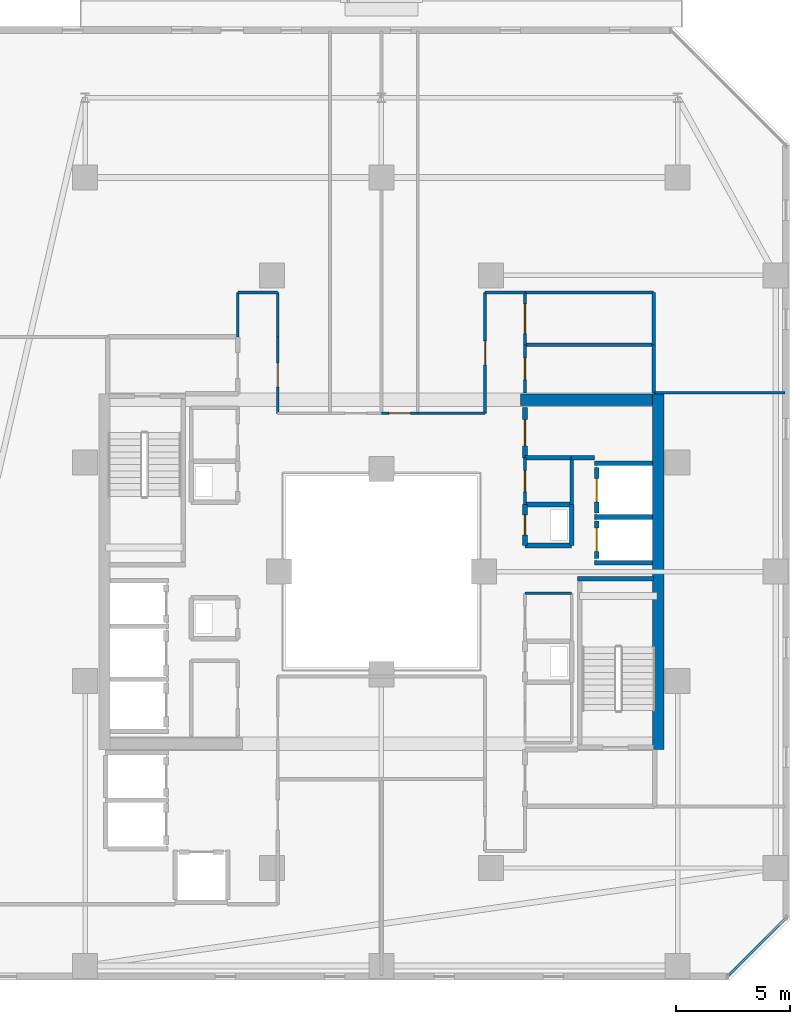
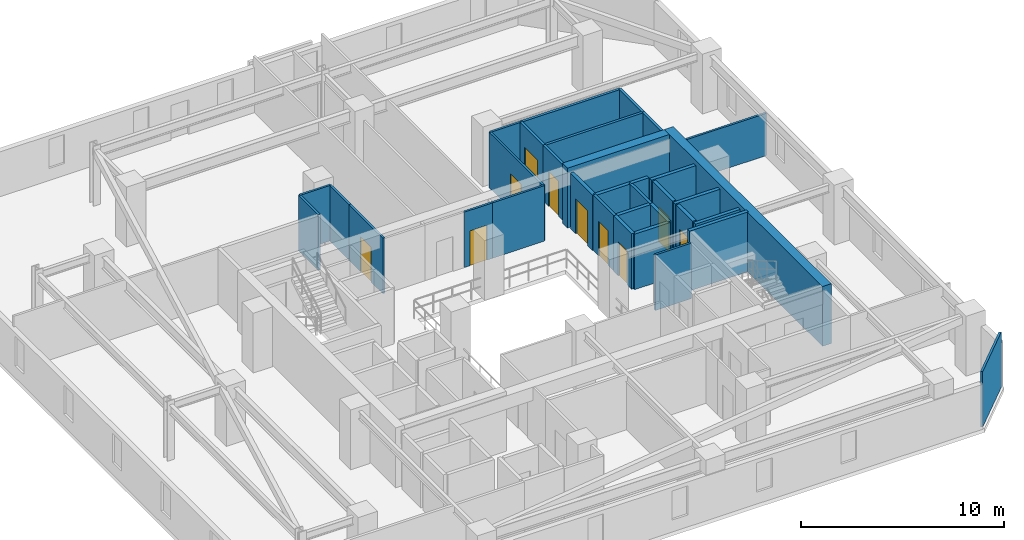
# One storey, part 25 of 33: 34 walls, 10 doors, 10 openings.
"""IFC4 building model written with IfcOpenShell, lengths in metres."""

from ifc_helpers import new_model, si_unit, direction, frame, frame_2d, origin, place, context, subcontext, project, spatial, rectangle, extrude, material, layer, layer_set, type_object, element, fill, save


model = new_model("IFC4")

# Units and contexts
model_context = context("Model", 3, precision=1e-05, world=origin(), true_north=direction((0.0, 1.0)))
body_context = subcontext(model_context, "Body", "Model", "MODEL_VIEW")
ifc_project = project(units=[si_unit("LENGTHUNIT", "METRE"), si_unit("AREAUNIT", "SQUARE_METRE"), si_unit("VOLUMEUNIT", "CUBIC_METRE"), si_unit("PLANEANGLEUNIT", "RADIAN"), si_unit("MASSUNIT", "GRAM", prefix="KILO")], contexts=[model_context])

# Site, building, storey
site_placement = place(None, origin())
site = spatial("IfcSite", under=ifc_project, at=site_placement, CompositionType="ELEMENT")
building_placement = place(site_placement, origin())
building = spatial("IfcBuilding", under=site, at=building_placement, Name="Thornwick Lancets Civic Towers", CompositionType="ELEMENT")
storey_placement = place(building_placement, frame((0.0, 0.0, 189.300048828125)))
storey = spatial("IfcBuildingStorey", under=building, at=storey_placement, Name="L50", CompositionType="ELEMENT", Elevation=189.300048828125)

# Wall, opening, door
ifc_material_1 = material(Name="Concrete blockwork C40/50", Category="masonry")
ifc_layer_1 = layer(ifc_material_1, 0.199951171875, Name="Concrete blockwork C40/50")
ifc_layer_set_1 = layer_set([ifc_layer_1], Name="Concrete blockwork C40/50")
wall_type_1 = type_object("IfcWallType", Name="WALL_COMP_200", PredefinedType="STANDARD", material=ifc_layer_set_1)
wall_1_placement = place(storey_placement, frame((97.949951171875, 29.219970703125, 0.0), z_axis=(0.0, 0.0, 1.0), x_axis=(0.0, -1.0, 0.0)))
wall_1 = element("IfcWall", 1, at=wall_1_placement, inside=storey, type_object=wall_type_1, Name="L50 Hoistway Front Wall FL-B1", PredefinedType="STANDARD", context=body_context, shape_type="SweptSolid", body=[
    extrude(rectangle(XDim=1.639892578125, YDim=0.199951171875, at=frame_2d((0.81982421875, 0.0))), origin(), (0.0, 0.0, 1.0), 3.33984375),
])
opening_1_placement = place(wall_1_placement, frame((0.31005859375, 0.0, 0.0)))
opening_1 = element("IfcOpeningElement", 2, at=opening_1_placement, cuts=wall_1, Name="Opening LD-FL-B1", PredefinedType="OPENING", context=body_context, shape_type="SweptSolid", body=[
    extrude(rectangle(XDim=1.02001953125, YDim=2.06005859375, at=frame_2d((0.510009765625, 1.030029296875))), frame((0.0, 0.10986328125, 0.0), z_axis=(0.0, -1.0, 0.0), x_axis=(1.0, 0.0, 0.0)), (0.0, 0.0, 1.0), 0.219970703125),
])
ifc_material_2 = material(Name="Brushed bronze stainless steel", Category="steel")
door_type_1 = type_object("IfcDoorType", Name="DOOR_LIFT_SLIDE", OperationType="SLIDING_TO_LEFT", PredefinedType="DOOR", material=ifc_material_2)
door_1_placement = place(opening_1_placement, origin())
door_1 = element("IfcDoor", 3, at=door_1_placement, inside=storey, type_object=door_type_1, Name="L50 Sliding Lift Landing Door LD-FL-B1", OperationType="SLIDING_TO_LEFT", OverallHeight=2.06005859375, OverallWidth=1.02001953125, PredefinedType="DOOR", context=body_context, shape_type="SweptSolid", body=[
    extrude(rectangle(XDim=1.02001953125, YDim=2.06005859375, at=frame_2d((0.510009765625, 1.030029296875))), frame((0.0, 0.02490234375, 0.0), z_axis=(0.0, -1.0, 0.0), x_axis=(1.0, 0.0, 0.0)), (0.0, 0.0, 1.0), 0.050048828125),
])
fill(opening_1, door_1)

wall_2_placement = place(storey_placement, frame((97.949951171875, 31.570068359375, 0.0), z_axis=(0.0, 0.0, 1.0), x_axis=(0.0, -1.0, 0.0)))
wall_2 = element("IfcWall", 4, at=wall_2_placement, inside=storey, type_object=wall_type_1, Name="L50 Hoistway Front Wall PL-BH1", PredefinedType="STANDARD", context=body_context, shape_type="SweptSolid", body=[
    extrude(rectangle(XDim=1.989990234375, YDim=0.199951171875, at=frame_2d((0.9951171875, 0.0))), origin(), (0.0, 0.0, 1.0), 3.33984375),
])
opening_2_placement = place(wall_2_placement, frame((0.485107421875, 0.0, 0.0)))
opening_2 = element("IfcOpeningElement", 5, at=opening_2_placement, cuts=wall_2, Name="Opening LD-PL-BH1", PredefinedType="OPENING", context=body_context, shape_type="SweptSolid", body=[
    extrude(rectangle(XDim=1.02001953125, YDim=2.06005859375, at=frame_2d((0.510009765625, 1.030029296875))), frame((0.0, 0.10986328125, 0.0), z_axis=(0.0, -1.0, 0.0), x_axis=(1.0, 0.0, 0.0)), (0.0, 0.0, 1.0), 0.219970703125),
])
door_2_placement = place(opening_2_placement, origin())
door_2 = element("IfcDoor", 6, at=door_2_placement, inside=storey, type_object=door_type_1, Name="L50 Sliding Lift Landing Door LD-PL-BH1", OperationType="SLIDING_TO_LEFT", OverallHeight=2.06005859375, OverallWidth=1.02001953125, PredefinedType="DOOR", context=body_context, shape_type="SweptSolid", body=[
    extrude(rectangle(XDim=1.02001953125, YDim=2.06005859375, at=frame_2d((0.510009765625, 1.030029296875))), frame((0.0, 0.02490234375, 0.0), z_axis=(0.0, -1.0, 0.0), x_axis=(1.0, 0.0, 0.0)), (0.0, 0.0, 1.0), 0.050048828125),
])
fill(opening_2, door_2)

# Walls
for number, where, z_axis, x_axis, name in (
    (7, (97.85205078125, 29.39990234375, 0.0), (0.0, 0.0, 1.0), (1.0, 0.0, 0.0), "L50 Hoistway Shaft Wall FL-B1 N"),
    (8, (97.85205078125, 27.39990234375, 0.0), (0.0, 0.0, 1.0), (1.0, 0.0, 0.0), "L50 Hoistway Shaft Wall FL-B1 S"),
    (9, (97.85205078125, 31.75, 0.0), (0.0, 0.0, 1.0), (1.0, 0.0, 0.0), "L50 Hoistway Shaft Wall PL-BH1 N"),
):
    element("IfcWall", number, at=place(storey_placement, frame(where, z_axis=z_axis, x_axis=x_axis)), inside=storey, type_object=wall_type_1, Name=name, PredefinedType="STANDARD", context=body_context, shape_type="SweptSolid", body=[
        extrude(rectangle(XDim=2.535888671875, YDim=0.199951171875, at=frame_2d((1.26806640625, 0.0))), origin(), (0.0, 0.0, 1.0), 3.33984375),
    ])
wall_3_placement = place(storey_placement, frame((94.800048828125, 28.14990234375, 0.0), z_axis=(0.0, 0.0, 1.0), x_axis=(1.0, 0.0, 0.0)))
element("IfcWall", 10, at=wall_3_placement, inside=storey, type_object=wall_type_1, Name="L50 Partition L50-B-DUCT1 E1", PredefinedType="STANDARD", context=body_context, shape_type="SweptSolid", body=[
    extrude(rectangle(XDim=2.050048828125, YDim=0.199951171875, at=frame_2d((1.02490234375, 0.0))), origin(), (0.0, 0.0, 1.0), 3.33984375),
])
wall_4_placement = place(storey_placement, frame((96.85009765625, 28.14990234375, 0.0), z_axis=(0.0, 0.0, 1.0), x_axis=(0.0, 1.0, 0.0)))
element("IfcWall", 11, at=wall_4_placement, inside=storey, type_object=wall_type_1, Name="L50 Partition L50-B-DUCT1 E2", PredefinedType="STANDARD", context=body_context, shape_type="SweptSolid", body=[
    extrude(rectangle(XDim=1.800048828125, YDim=0.199951171875, at=frame_2d((0.89990234375, 0.0))), origin(), (0.0, 0.0, 1.0), 3.33984375),
])
wall_5_placement = place(storey_placement, frame((96.85009765625, 29.949951171875, 0.0), z_axis=(0.0, 0.0, 1.0), x_axis=(-1.0, 0.0, 0.0)))
element("IfcWall", 12, at=wall_5_placement, inside=storey, type_object=wall_type_1, Name="L50 Partition L50-B-DUCT1 E3", PredefinedType="STANDARD", context=body_context, shape_type="SweptSolid", body=[
    extrude(rectangle(XDim=2.050048828125, YDim=0.199951171875, at=frame_2d((1.02490234375, 0.0))), origin(), (0.0, 0.0, 1.0), 3.33984375),
])

# Wall, opening, door
wall_6_placement = place(storey_placement, frame((94.800048828125, 29.949951171875, 0.0), z_axis=(0.0, 0.0, 1.0), x_axis=(0.0, -1.0, 0.0)))
wall_6 = element("IfcWall", 13, at=wall_6_placement, inside=storey, type_object=wall_type_1, Name="L50 Partition L50-B-DUCT1 E4", PredefinedType="STANDARD", context=body_context, shape_type="SweptSolid", body=[
    extrude(rectangle(XDim=1.800048828125, YDim=0.199951171875, at=frame_2d((0.89990234375, 0.0))), origin(), (0.0, 0.0, 1.0), 3.33984375),
])
opening_3_placement = place(wall_6_placement, frame((0.4599609375, 0.0, 0.0)))
opening_3 = element("IfcOpeningElement", 14, at=opening_3_placement, cuts=wall_6, Name="Opening D-L50-2219", PredefinedType="OPENING", context=body_context, shape_type="SweptSolid", body=[
    extrude(rectangle(XDim=0.8798828125, YDim=2.0400390625, at=frame_2d((0.43994140625, 1.02001953125))), frame((0.0, 0.10986328125, 0.0), z_axis=(0.0, -1.0, 0.0), x_axis=(1.0, 0.0, 0.0)), (0.0, 0.0, 1.0), 0.219970703125),
])
ifc_material_3 = material(Name="Steel riser access doorset", Category="steel")
door_type_2 = type_object("IfcDoorType", Name="DOOR_RISER_850", OperationType="NOTDEFINED", PredefinedType="DOOR", material=ifc_material_3)
door_3_placement = place(opening_3_placement, origin())
door_3 = element("IfcDoor", 15, at=door_3_placement, inside=storey, type_object=door_type_2, Name="L50 East Service Duct 1 Door", OperationType="SINGLE_SWING_RIGHT", OverallHeight=2.0400390625, OverallWidth=0.8798828125, PredefinedType="DOOR", context=body_context, shape_type="SweptSolid", body=[
    extrude(rectangle(XDim=0.8798828125, YDim=2.0400390625, at=frame_2d((0.43994140625, 1.02001953125))), frame((0.0, 0.02490234375, 0.0), z_axis=(0.0, -1.0, 0.0), x_axis=(1.0, 0.0, 0.0)), (0.0, 0.0, 1.0), 0.050048828125),
])
fill(opening_3, door_3)

wall_7_placement = place(storey_placement, frame((94.800048828125, 32.0, 0.0), z_axis=(0.0, 0.0, 1.0), x_axis=(0.0, 1.0, 0.0)))
wall_7 = element("IfcWall", 16, at=wall_7_placement, inside=storey, type_object=wall_type_1, Name="L50 Partition L50-B-STR2 E1", PredefinedType="STANDARD", context=body_context, shape_type="SweptSolid", body=[
    extrude(rectangle(XDim=2.199951171875, YDim=0.199951171875, at=frame_2d((1.10009765625, 0.0))), origin(), (0.0, 0.0, 1.0), 3.33984375),
])
opening_4_placement = place(wall_7_placement, frame((0.52490234375, 0.0, 0.0)))
opening_4 = element("IfcOpeningElement", 17, at=opening_4_placement, cuts=wall_7, Name="Opening D-L50-2226", PredefinedType="OPENING", context=body_context, shape_type="SweptSolid", body=[
    extrude(rectangle(XDim=1.14990234375, YDim=2.10009765625, at=frame_2d((0.574951171875, 1.050048828125))), frame((0.0, 0.10986328125, 0.0), z_axis=(0.0, -1.0, 0.0), x_axis=(1.0, 0.0, 0.0)), (0.0, 0.0, 1.0), 0.219970703125),
])
ifc_material_4 = material(Name="Glazed fire-resisting steel", Category="steel")
door_type_3 = type_object("IfcDoorType", Name="DOOR_LOBBY_FD60", OperationType="NOTDEFINED", PredefinedType="DOOR", material=ifc_material_4)
door_4_placement = place(opening_4_placement, origin())
door_4 = element("IfcDoor", 18, at=door_4_placement, inside=storey, type_object=door_type_3, Name="L50 Tower B Core Supplies Store Door", OperationType="SINGLE_SWING_LEFT", OverallHeight=2.10009765625, OverallWidth=1.14990234375, PredefinedType="DOOR", context=body_context, shape_type="SweptSolid", body=[
    extrude(rectangle(XDim=1.14990234375, YDim=2.10009765625, at=frame_2d((0.574951171875, 1.050048828125))), frame((0.0, 0.02490234375, 0.0), z_axis=(0.0, -1.0, 0.0), x_axis=(1.0, 0.0, 0.0)), (0.0, 0.0, 1.0), 0.050048828125),
])
fill(opening_4, door_4)

# Walls
wall_8_placement = place(storey_placement, frame((97.85205078125, 32.0, 0.0), z_axis=(0.0, 0.0, 1.0), x_axis=(-1.0, 0.0, 0.0)))
element("IfcWall", 19, at=wall_8_placement, inside=storey, type_object=wall_type_1, Name="L50 Partition L50-B-STR2 E4", PredefinedType="STANDARD", context=body_context, shape_type="SweptSolid", body=[
    extrude(rectangle(XDim=1.001953125, YDim=0.199951171875, at=frame_2d((0.5009765625, 0.0))), origin(), (0.0, 0.0, 1.0), 3.33984375),
])
wall_9_placement = place(storey_placement, frame((96.85009765625, 32.0, 0.0), z_axis=(0.0, 0.0, 1.0), x_axis=(-1.0, 0.0, 0.0)))
element("IfcWall", 20, at=wall_9_placement, inside=storey, type_object=wall_type_1, Name="L50 Partition L50-B-STR2 E5", PredefinedType="STANDARD", context=body_context, shape_type="SweptSolid", body=[
    extrude(rectangle(XDim=2.050048828125, YDim=0.199951171875, at=frame_2d((1.02490234375, 0.0))), origin(), (0.0, 0.0, 1.0), 3.33984375),
])
ifc_material_5 = material(Name="Concrete C50/60", Category="concrete")
ifc_layer_2 = layer(ifc_material_5, 0.5, Name="Concrete C50/60")
ifc_layer_set_2 = layer_set([ifc_layer_2], Name="Concrete C50/60")
wall_type_2 = type_object("IfcWallType", Name="WALL_CORE_500", PredefinedType="SHEAR", material=ifc_layer_set_2)
wall_10_placement = place(storey_placement, frame((100.64990234375, 19.199951171875, 0.0), z_axis=(0.0, 0.0, 1.0), x_axis=(0.0, 1.0, 0.0)))
element("IfcWall", 21, at=wall_10_placement, inside=storey, type_object=wall_type_2, Name="L50 Split Core B1 Shear Wall E", PredefinedType="SHEAR", context=body_context, shape_type="SweptSolid", body=[
    extrude(rectangle(XDim=15.60009765625, YDim=0.5, at=frame_2d((7.800048828125, 0.0))), origin(), (0.0, 0.0, 1.0), 3.599853515625),
])
wall_11_placement = place(storey_placement, frame((94.60009765625, 34.550048828125, 0.0), z_axis=(0.0, 0.0, 1.0), x_axis=(1.0, 0.0, 0.0)))
element("IfcWall", 22, at=wall_11_placement, inside=storey, type_object=wall_type_2, Name="L50 Split Core B1 Shear Wall N", PredefinedType="SHEAR", context=body_context, shape_type="SweptSolid", body=[
    extrude(rectangle(XDim=5.7998046875, YDim=0.5, at=frame_2d((2.89990234375, 0.0))), origin(), (0.0, 0.0, 1.0), 3.599853515625),
])
ifc_material_6 = material(Name="Acoustic gypsum board partition")
ifc_layer_3 = layer(ifc_material_6, 0.1201171875, Name="Acoustic gypsum board partition")
ifc_layer_set_3 = layer_set([ifc_layer_3], Name="Acoustic gypsum board partition")
wall_type_3 = type_object("IfcWallType", Name="WALL_PART_120", PredefinedType="PARTITIONING", material=ifc_layer_set_3)
wall_12_placement = place(storey_placement, frame((94.800048828125, 26.050048828125, 0.0), z_axis=(0.0, 0.0, 1.0), x_axis=(1.0, 0.0, 0.0)))
element("IfcWall", 23, at=wall_12_placement, inside=storey, type_object=wall_type_3, Name="L50 Partition L50-B-ITR E2", PredefinedType="PARTITIONING", context=body_context, shape_type="SweptSolid", body=[
    extrude(rectangle(XDim=2.050048828125, YDim=0.1201171875, at=frame_2d((1.02490234375, 0.0))), origin(), (0.0, 0.0, 1.0), 3.33984375),
])
wall_13_placement = place(storey_placement, frame((106.219970703125, 11.774658203125, 0.0), z_axis=(0.0, 0.0, 1.0), x_axis=(-0.707106781187, -0.707106781187, 0.0)))
element("IfcWall", 24, at=wall_13_placement, inside=storey, type_object=wall_type_3, Name="L50 Partition L50-B-W1 E11", PredefinedType="PARTITIONING", context=body_context, shape_type="SweptSolid", body=[
    extrude(rectangle(XDim=3.52783203125, YDim=0.1201171875, at=frame_2d((1.763916015625, 0.0))), origin(), (0.0, 0.0, 1.0), 3.33984375),
])
wall_14_placement = place(storey_placement, frame((94.800048828125, 39.25, 0.0), z_axis=(0.0, 0.0, 1.0), x_axis=(-1.0, 0.0, 0.0)))
element("IfcWall", 25, at=wall_14_placement, inside=storey, type_object=wall_type_3, Name="L50 Partition L50-B-E1 E4", PredefinedType="PARTITIONING", context=body_context, shape_type="SweptSolid", body=[
    extrude(rectangle(XDim=1.75, YDim=0.1201171875, at=frame_2d((0.875, 0.0))), origin(), (0.0, 0.0, 1.0), 3.33984375),
])

# Wall, opening, door
wall_15_placement = place(storey_placement, frame((93.050048828125, 39.25, 0.0), z_axis=(0.0, 0.0, 1.0), x_axis=(0.0, -1.0, 0.0)))
wall_15 = element("IfcWall", 26, at=wall_15_placement, inside=storey, type_object=wall_type_3, Name="L50 Partition L50-B-E1 E5", PredefinedType="PARTITIONING", context=body_context, shape_type="SweptSolid", body=[
    extrude(rectangle(XDim=5.300048828125, YDim=0.1201171875, at=frame_2d((2.64990234375, 0.0))), origin(), (0.0, 0.0, 1.0), 3.33984375),
])
opening_5_placement = place(wall_15_placement, frame((2.125, 0.0, 0.0)))
opening_5 = element("IfcOpeningElement", 27, at=opening_5_placement, cuts=wall_15, Name="Opening D-L50-2243", PredefinedType="OPENING", context=body_context, shape_type="SweptSolid", body=[
    extrude(rectangle(XDim=1.050048828125, YDim=2.10009765625, at=frame_2d((0.52490234375, 1.050048828125))), frame((0.0, 0.070068359375, 0.0), z_axis=(0.0, -1.0, 0.0), x_axis=(1.0, 0.0, 0.0)), (0.0, 0.0, 1.0), 0.14013671875),
])
ifc_material_7 = material(Name="Glazed European oak executive doorset")
door_type_4 = type_object("IfcDoorType", Name="DOOR_OFFICE_1050", OperationType="NOTDEFINED", PredefinedType="DOOR", material=ifc_material_7)
door_5_placement = place(opening_5_placement, origin())
door_5 = element("IfcDoor", 28, at=door_5_placement, inside=storey, type_object=door_type_4, Name="L50 Tower B Secretariat Open Office E1 Door", OperationType="SINGLE_SWING_RIGHT", OverallHeight=2.10009765625, OverallWidth=1.050048828125, PredefinedType="DOOR", context=body_context, shape_type="SweptSolid", body=[
    extrude(rectangle(XDim=1.050048828125, YDim=2.10009765625, at=frame_2d((0.52490234375, 1.050048828125))), frame((0.0, 0.02490234375, 0.0), z_axis=(0.0, -1.0, 0.0), x_axis=(1.0, 0.0, 0.0)), (0.0, 0.0, 1.0), 0.050048828125),
])
fill(opening_5, door_5)

# Walls
wall_16_placement = place(storey_placement, frame((93.050048828125, 33.949951171875, 0.0), z_axis=(0.0, 0.0, 1.0), x_axis=(-1.0, 0.0, 0.0)))
element("IfcWall", 29, at=wall_16_placement, inside=storey, type_object=wall_type_3, Name="L50 Partition L50-B-E1 E6", PredefinedType="PARTITIONING", context=body_context, shape_type="SweptSolid", body=[
    extrude(rectangle(XDim=2.949951171875, YDim=0.1201171875, at=frame_2d((1.47509765625, 0.0))), origin(), (0.0, 0.0, 1.0), 3.33984375),
])
wall_17_placement = place(storey_placement, frame((106.219970703125, 34.85009765625, 0.0), z_axis=(0.0, 0.0, 1.0), x_axis=(-1.0, 0.0, 0.0)))
element("IfcWall", 30, at=wall_17_placement, inside=storey, type_object=wall_type_3, Name="L50 Partition L50-B-E1 E11", PredefinedType="PARTITIONING", context=body_context, shape_type="SweptSolid", body=[
    extrude(rectangle(XDim=5.77001953125, YDim=0.1201171875, at=frame_2d((2.885009765625, 0.0))), origin(), (0.0, 0.0, 1.0), 2.544921875),
])

# Wall, opening, door
wall_18_placement = place(storey_placement, frame((90.10009765625, 33.949951171875, 0.0), z_axis=(0.0, 0.0, 1.0), x_axis=(-1.0, 0.0, 0.0)))
wall_18 = element("IfcWall", 31, at=wall_18_placement, inside=storey, type_object=wall_type_3, Name="L50 Partition L50-B-E2 E4", PredefinedType="PARTITIONING", context=body_context, shape_type="SweptSolid", body=[
    extrude(rectangle(XDim=1.60009765625, YDim=0.1201171875, at=frame_2d((0.800048828125, 0.0))), origin(), (0.0, 0.0, 1.0), 3.33984375),
])
opening_6_placement = place(wall_18_placement, frame((0.324951171875, 0.0, 0.0)))
opening_6 = element("IfcOpeningElement", 32, at=opening_6_placement, cuts=wall_18, Name="Opening D-L50-2244", PredefinedType="OPENING", context=body_context, shape_type="SweptSolid", body=[
    extrude(rectangle(XDim=0.949951171875, YDim=2.10009765625, at=frame_2d((0.47509765625, 1.050048828125))), frame((0.0, 0.070068359375, 0.0), z_axis=(0.0, -1.0, 0.0), x_axis=(1.0, 0.0, 0.0)), (0.0, 0.0, 1.0), 0.14013671875),
])
ifc_material_8 = material(Name="European oak acoustic doorset")
door_type_5 = type_object("IfcDoorType", Name="DOOR_OFFICE_950", OperationType="NOTDEFINED", PredefinedType="DOOR", material=ifc_material_8)
door_6_placement = place(opening_6_placement, origin())
door_6 = element("IfcDoor", 33, at=door_6_placement, inside=storey, type_object=door_type_5, Name="L50 Tower B Visitors Reception and Waiting Door", OperationType="SINGLE_SWING_LEFT", OverallHeight=2.10009765625, OverallWidth=0.949951171875, PredefinedType="DOOR", context=body_context, shape_type="SweptSolid", body=[
    extrude(rectangle(XDim=0.949951171875, YDim=2.10009765625, at=frame_2d((0.47509765625, 1.050048828125))), frame((0.0, 0.02490234375, 0.0), z_axis=(0.0, -1.0, 0.0), x_axis=(1.0, 0.0, 0.0)), (0.0, 0.0, 1.0), 0.050048828125),
])
fill(opening_6, door_6)

wall_19_placement = place(storey_placement, frame((83.949951171875, 33.949951171875, 0.0), z_axis=(0.0, 0.0, 1.0), x_axis=(0.0, 1.0, 0.0)))
wall_19 = element("IfcWall", 34, at=wall_19_placement, inside=storey, type_object=wall_type_3, Name="L50 Partition L50-B-E4 E1", PredefinedType="PARTITIONING", context=body_context, shape_type="SweptSolid", body=[
    extrude(rectangle(XDim=3.35009765625, YDim=0.1201171875, at=frame_2d((1.675048828125, 0.0))), origin(), (0.0, 0.0, 1.0), 3.33984375),
])
opening_7_placement = place(wall_19_placement, frame((1.14990234375, 0.0, 0.0)))
opening_7 = element("IfcOpeningElement", 35, at=opening_7_placement, cuts=wall_19, Name="Opening D-L50-2246", PredefinedType="OPENING", context=body_context, shape_type="SweptSolid", body=[
    extrude(rectangle(XDim=1.050048828125, YDim=2.10009765625, at=frame_2d((0.52490234375, 1.050048828125))), frame((0.0, 0.070068359375, 0.0), z_axis=(0.0, -1.0, 0.0), x_axis=(1.0, 0.0, 0.0)), (0.0, 0.0, 1.0), 0.14013671875),
])
door_7_placement = place(opening_7_placement, origin())
door_7 = element("IfcDoor", 36, at=door_7_placement, inside=storey, type_object=door_type_4, Name="L50 Tower B Counsel Chambers Office E4 Door", OperationType="SINGLE_SWING_LEFT", OverallHeight=2.10009765625, OverallWidth=1.050048828125, PredefinedType="DOOR", context=body_context, shape_type="SweptSolid", body=[
    extrude(rectangle(XDim=1.050048828125, YDim=2.10009765625, at=frame_2d((0.52490234375, 1.050048828125))), frame((0.0, 0.02490234375, 0.0), z_axis=(0.0, -1.0, 0.0), x_axis=(1.0, 0.0, 0.0)), (0.0, 0.0, 1.0), 0.050048828125),
])
fill(opening_7, door_7)

# Walls
wall_20_placement = place(storey_placement, frame((83.949951171875, 37.300048828125, 0.0), z_axis=(0.0, 0.0, 1.0), x_axis=(0.0, 1.0, 0.0)))
element("IfcWall", 37, at=wall_20_placement, inside=storey, type_object=wall_type_3, Name="L50 Partition L50-B-E4 E2", PredefinedType="PARTITIONING", context=body_context, shape_type="SweptSolid", body=[
    extrude(rectangle(XDim=1.949951171875, YDim=0.1201171875, at=frame_2d((0.97509765625, 0.0))), origin(), (0.0, 0.0, 1.0), 3.33984375),
])
wall_21_placement = place(storey_placement, frame((83.949951171875, 39.25, 0.0), z_axis=(0.0, 0.0, 1.0), x_axis=(-1.0, 0.0, 0.0)))
element("IfcWall", 38, at=wall_21_placement, inside=storey, type_object=wall_type_3, Name="L50 Partition L50-B-E4 E3", PredefinedType="PARTITIONING", context=body_context, shape_type="SweptSolid", body=[
    extrude(rectangle(XDim=1.75, YDim=0.1201171875, at=frame_2d((0.875, 0.0))), origin(), (0.0, 0.0, 1.0), 3.33984375),
])
wall_22_placement = place(storey_placement, frame((82.199951171875, 39.25, 0.0), z_axis=(0.0, 0.0, 1.0), x_axis=(0.0, -1.0, 0.0)))
element("IfcWall", 39, at=wall_22_placement, inside=storey, type_object=wall_type_3, Name="L50 Partition L50-B-E4 E4", PredefinedType="PARTITIONING", context=body_context, shape_type="SweptSolid", body=[
    extrude(rectangle(XDim=1.949951171875, YDim=0.1201171875, at=frame_2d((0.97509765625, 0.0))), origin(), (0.0, 0.0, 1.0), 3.33984375),
])

# Wall, opening, door
ifc_material_9 = material(Name="Twin-stud acoustic gypsum board")
ifc_layer_4 = layer(ifc_material_9, 0.14990234375, Name="Twin-stud acoustic gypsum board")
ifc_layer_set_4 = layer_set([ifc_layer_4], Name="Twin-stud acoustic gypsum board")
wall_type_4 = type_object("IfcWallType", Name="WALL_PART_150", PredefinedType="PARTITIONING", material=ifc_layer_set_4)
wall_23_placement = place(storey_placement, frame((94.800048828125, 29.949951171875, 0.0), z_axis=(0.0, 0.0, 1.0), x_axis=(0.0, 1.0, 0.0)))
wall_23 = element("IfcWall", 40, at=wall_23_placement, inside=storey, type_object=wall_type_4, Name="L50 Partition L50-B-AWC E1", PredefinedType="PARTITIONING", context=body_context, shape_type="SweptSolid", body=[
    extrude(rectangle(XDim=2.050048828125, YDim=0.14990234375, at=frame_2d((1.02490234375, 0.0))), origin(), (0.0, 0.0, 1.0), 3.33984375),
])
opening_8_placement = place(wall_23_placement, frame((0.56494140625, 0.0, 0.0)))
opening_8 = element("IfcOpeningElement", 41, at=opening_8_placement, cuts=wall_23, Name="Opening D-L50-2225", PredefinedType="OPENING", context=body_context, shape_type="SweptSolid", body=[
    extrude(rectangle(XDim=0.919921875, YDim=2.080078125, at=frame_2d((0.4599609375, 1.0400390625))), frame((0.0, 0.0849609375, 0.0), z_axis=(0.0, -1.0, 0.0), x_axis=(1.0, 0.0, 0.0)), (0.0, 0.0, 1.0), 0.169921875),
])
ifc_material_10 = material(Name="Moisture-resistant oak doorset")
door_type_6 = type_object("IfcDoorType", Name="DOOR_WC_900", OperationType="NOTDEFINED", PredefinedType="DOOR", material=ifc_material_10)
door_8_placement = place(opening_8_placement, origin())
door_8 = element("IfcDoor", 42, at=door_8_placement, inside=storey, type_object=door_type_6, Name="L50 Tower B Accessible WC Door", OperationType="SINGLE_SWING_RIGHT", OverallHeight=2.080078125, OverallWidth=0.919921875, PredefinedType="DOOR", context=body_context, shape_type="SweptSolid", body=[
    extrude(rectangle(XDim=0.919921875, YDim=2.080078125, at=frame_2d((0.4599609375, 1.0400390625))), frame((0.0, 0.02490234375, 0.0), z_axis=(0.0, -1.0, 0.0), x_axis=(1.0, 0.0, 0.0)), (0.0, 0.0, 1.0), 0.050048828125),
])
fill(opening_8, door_8)

# Walls
wall_24_placement = place(storey_placement, frame((96.85009765625, 32.0, 0.0), z_axis=(0.0, 0.0, 1.0), x_axis=(0.0, -1.0, 0.0)))
element("IfcWall", 43, at=wall_24_placement, inside=storey, type_object=wall_type_4, Name="L50 Partition L50-B-AWC E3", PredefinedType="PARTITIONING", context=body_context, shape_type="SweptSolid", body=[
    extrude(rectangle(XDim=2.050048828125, YDim=0.14990234375, at=frame_2d((1.02490234375, 0.0))), origin(), (0.0, 0.0, 1.0), 3.33984375),
])
wall_25_placement = place(storey_placement, frame((100.449951171875, 36.949951171875, 0.0), z_axis=(0.0, 0.0, 1.0), x_axis=(0.0, -1.0, 0.0)))
element("IfcWall", 44, at=wall_25_placement, inside=storey, type_object=wall_type_4, Name="L50 Partition L50-B-RECLAIM-L1 E1", PredefinedType="PARTITIONING", context=body_context, shape_type="SweptSolid", body=[
    extrude(rectangle(XDim=2.099853515625, YDim=0.14990234375, at=frame_2d((1.0498046875, 0.0))), origin(), (0.0, 0.0, 1.0), 3.33984375),
])

# Wall, opening, door
wall_26_placement = place(storey_placement, frame((94.800048828125, 34.85009765625, 0.0), z_axis=(0.0, 0.0, 1.0), x_axis=(0.0, 1.0, 0.0)))
wall_26 = element("IfcWall", 45, at=wall_26_placement, inside=storey, type_object=wall_type_4, Name="L50 Partition L50-B-RECLAIM-L1 E3", PredefinedType="PARTITIONING", context=body_context, shape_type="SweptSolid", body=[
    extrude(rectangle(XDim=2.099853515625, YDim=0.14990234375, at=frame_2d((1.0498046875, 0.0))), origin(), (0.0, 0.0, 1.0), 3.33984375),
])
opening_9_placement = place(wall_26_placement, frame((0.574951171875, 0.0, 0.0)))
opening_9 = element("IfcOpeningElement", 46, at=opening_9_placement, cuts=wall_26, Name="Opening D-L50-2238", PredefinedType="OPENING", context=body_context, shape_type="SweptSolid", body=[
    extrude(rectangle(XDim=0.949951171875, YDim=2.10009765625, at=frame_2d((0.47509765625, 1.050048828125))), frame((0.0, 0.0849609375, 0.0), z_axis=(0.0, -1.0, 0.0), x_axis=(1.0, 0.0, 0.0)), (0.0, 0.0, 1.0), 0.169921875),
])
door_9_placement = place(opening_9_placement, origin())
door_9 = element("IfcDoor", 47, at=door_9_placement, inside=storey, type_object=door_type_5, Name="L50 Tower B Policy Archive Door", OperationType="SINGLE_SWING_LEFT", OverallHeight=2.10009765625, OverallWidth=0.949951171875, PredefinedType="DOOR", context=body_context, shape_type="SweptSolid", body=[
    extrude(rectangle(XDim=0.949951171875, YDim=2.10009765625, at=frame_2d((0.47509765625, 1.050048828125))), frame((0.0, 0.02490234375, 0.0), z_axis=(0.0, -1.0, 0.0), x_axis=(1.0, 0.0, 0.0)), (0.0, 0.0, 1.0), 0.050048828125),
])
fill(opening_9, door_9)

# Wall
wall_27_placement = place(storey_placement, frame((94.800048828125, 36.949951171875, 0.0), z_axis=(0.0, 0.0, 1.0), x_axis=(1.0, 0.0, 0.0)))
element("IfcWall", 48, at=wall_27_placement, inside=storey, type_object=wall_type_4, Name="L50 Partition L50-B-RECLAIM-L1 E4", PredefinedType="PARTITIONING", context=body_context, shape_type="SweptSolid", body=[
    extrude(rectangle(XDim=5.64990234375, YDim=0.14990234375, at=frame_2d((2.824951171875, 0.0))), origin(), (0.0, 0.0, 1.0), 3.33984375),
])

# Wall, opening, door
wall_28_placement = place(storey_placement, frame((94.800048828125, 36.949951171875, 0.0), z_axis=(0.0, 0.0, 1.0), x_axis=(0.0, 1.0, 0.0)))
wall_28 = element("IfcWall", 49, at=wall_28_placement, inside=storey, type_object=wall_type_4, Name="L50 Partition L50-B-RECLAIM-L2 E1", PredefinedType="PARTITIONING", context=body_context, shape_type="SweptSolid", body=[
    extrude(rectangle(XDim=2.300048828125, YDim=0.14990234375, at=frame_2d((1.14990234375, 0.0))), origin(), (0.0, 0.0, 1.0), 3.33984375),
])
opening_10_placement = place(wall_28_placement, frame((0.5, 0.0, 0.0)))
opening_10 = element("IfcOpeningElement", 50, at=opening_10_placement, cuts=wall_28, Name="Opening D-L50-2239", PredefinedType="OPENING", context=body_context, shape_type="SweptSolid", body=[
    extrude(rectangle(XDim=1.300048828125, YDim=2.1201171875, at=frame_2d((0.64990234375, 1.06005859375))), frame((0.0, 0.0849609375, 0.0), z_axis=(0.0, -1.0, 0.0), x_axis=(1.0, 0.0, 0.0)), (0.0, 0.0, 1.0), 0.169921875),
])
ifc_material_11 = material(Name="Acoustic oak leaf-and-a-half doorset")
door_type_7 = type_object("IfcDoorType", Name="DOOR_MEET_1300", OperationType="DOUBLE_DOOR_SINGLE_SWING", PredefinedType="DOOR", material=ifc_material_11)
door_10_placement = place(opening_10_placement, origin())
door_10 = element("IfcDoor", 51, at=door_10_placement, inside=storey, type_object=door_type_7, Name="L50 Tower B Ministerial Consultation Room Door", OperationType="DOUBLE_DOOR_SINGLE_SWING", OverallHeight=2.1201171875, OverallWidth=1.300048828125, PredefinedType="DOOR", context=body_context, shape_type="SweptSolid", body=[
    extrude(rectangle(XDim=1.300048828125, YDim=2.1201171875, at=frame_2d((0.64990234375, 1.06005859375))), frame((0.0, 0.02490234375, 0.0), z_axis=(0.0, -1.0, 0.0), x_axis=(1.0, 0.0, 0.0)), (0.0, 0.0, 1.0), 0.050048828125),
])
fill(opening_10, door_10)

# Walls
wall_29_placement = place(storey_placement, frame((94.800048828125, 39.25, 0.0), z_axis=(0.0, 0.0, 1.0), x_axis=(1.0, 0.0, 0.0)))
element("IfcWall", 52, at=wall_29_placement, inside=storey, type_object=wall_type_4, Name="L50 Partition L50-B-RECLAIM-L2 E2", PredefinedType="PARTITIONING", context=body_context, shape_type="SweptSolid", body=[
    extrude(rectangle(XDim=5.64990234375, YDim=0.14990234375, at=frame_2d((2.824951171875, 0.0))), origin(), (0.0, 0.0, 1.0), 3.33984375),
])
wall_30_placement = place(storey_placement, frame((100.449951171875, 39.25, 0.0), z_axis=(0.0, 0.0, 1.0), x_axis=(0.0, -1.0, 0.0)))
element("IfcWall", 53, at=wall_30_placement, inside=storey, type_object=wall_type_4, Name="L50 Partition L50-B-RECLAIM-L2 E3", PredefinedType="PARTITIONING", context=body_context, shape_type="SweptSolid", body=[
    extrude(rectangle(XDim=2.300048828125, YDim=0.14990234375, at=frame_2d((1.14990234375, 0.0))), origin(), (0.0, 0.0, 1.0), 3.33984375),
])
ifc_material_12 = material(Name="Concrete C40/50", Category="concrete")
ifc_layer_5 = layer(ifc_material_12, 0.199951171875, Name="Concrete C40/50")
ifc_layer_set_5 = layer_set([ifc_layer_5], Name="Concrete C40/50")
wall_type_5 = type_object("IfcWallType", Name="WALL_SHAFT_200", PredefinedType="SHEAR", material=ifc_layer_set_5)
wall_31_placement = place(storey_placement, frame((97.10009765625, 26.699951171875, 0.0), z_axis=(0.0, 0.0, 1.0), x_axis=(1.0, 0.0, 0.0)))
element("IfcWall", 54, at=wall_31_placement, inside=storey, type_object=wall_type_5, Name="L50 ST-B1 Fire Stair Core Wall FAR", PredefinedType="SHEAR", context=body_context, shape_type="SweptSolid", body=[
    extrude(rectangle(XDim=3.349853515625, YDim=0.199951171875, at=frame_2d((1.6748046875, 0.0))), origin(), (0.0, 0.0, 1.0), 3.599853515625),
])

save(model, "model.ifc")
